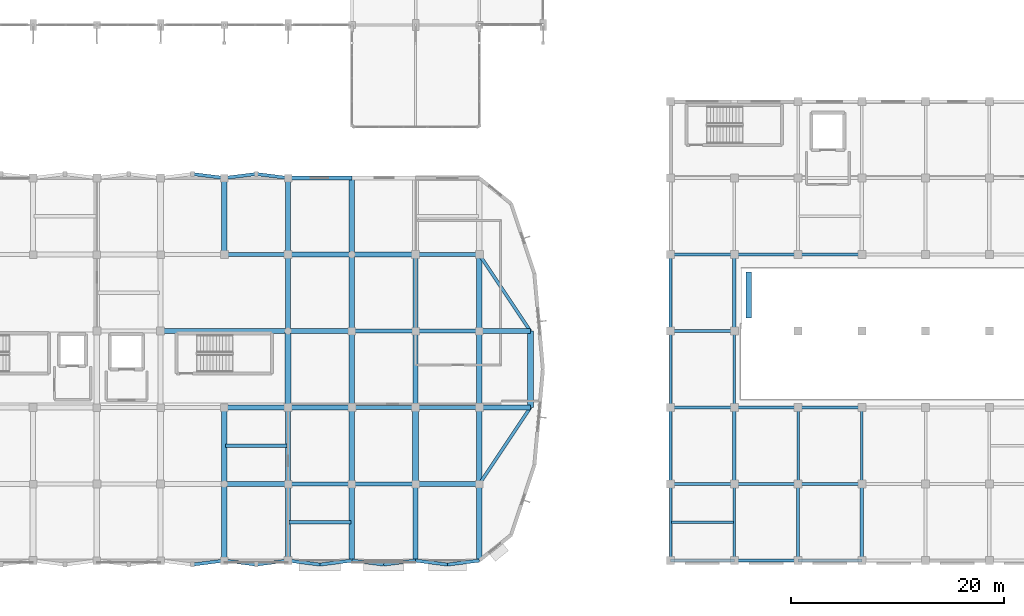
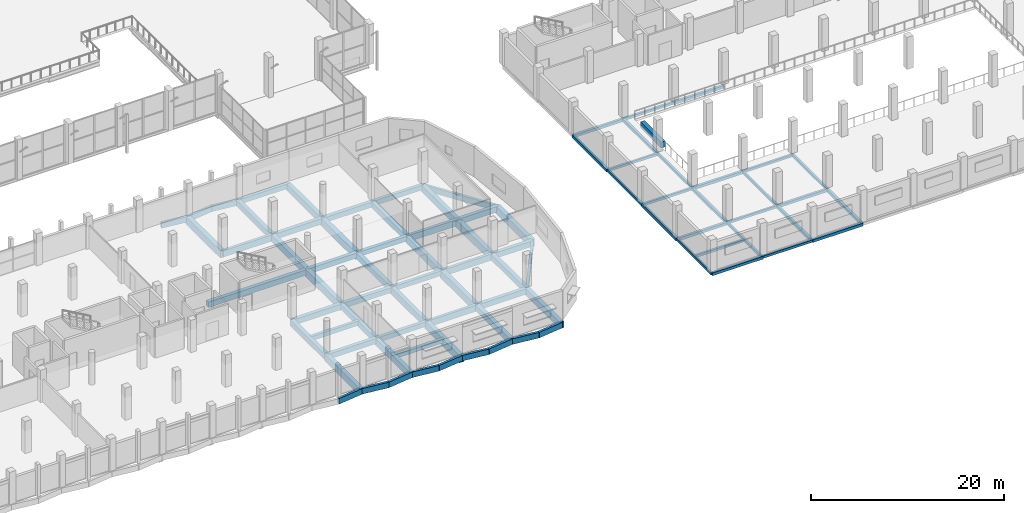
# One storey, part 24 of 127: 84 beams.
"""IFC4 building model written with IfcOpenShell, lengths in metres."""

from ifc_helpers import new_model, si_unit, direction, frame, origin, origin_2d, place, context, subcontext, project, spatial, rectangle, extrude, material, material_profile, profile_set, type_object, element, save


model = new_model("IFC4")

# Units and contexts
model_context = context("Model", 3, precision=1e-05, world=origin(), true_north=direction((0.0, 1.0)))
body_context = subcontext(model_context, "Body", "Model", "MODEL_VIEW")
ifc_project = project(units=[si_unit("LENGTHUNIT", "METRE"), si_unit("AREAUNIT", "SQUARE_METRE"), si_unit("VOLUMEUNIT", "CUBIC_METRE"), si_unit("PLANEANGLEUNIT", "RADIAN"), si_unit("MASSUNIT", "GRAM", prefix="KILO")], contexts=[model_context])

# Site, building, storey
site_placement = place(None, origin())
site = spatial("IfcSite", under=ifc_project, at=site_placement, CompositionType="ELEMENT")
building_placement = place(site_placement, origin())
building = spatial("IfcBuilding", under=site, at=building_placement, Name="Dunvalen Ferry Terminal", CompositionType="ELEMENT")
storey_placement = place(building_placement, frame((0.0, 0.0, 5.760009765625)))
storey = spatial("IfcBuildingStorey", under=building, at=storey_placement, Name="L01", CompositionType="ELEMENT", Elevation=5.760009765625)

# Beams
ifc_material_1 = material(Name="Concrete C35/45", Category="concrete")
ifc_material_profile_1 = material_profile(ifc_material_1, rectangle(XDim=0.35009765625, YDim=0.5, at=origin_2d()), Name="Concrete C35/45")
ifc_profile_set_1 = profile_set([ifc_material_profile_1], Name="Concrete C35/45")
beam_type_1 = type_object("IfcBeamType", Name="STR-BM-RCB500W", PredefinedType="JOIST", material=ifc_profile_set_1)
beam_1_placement = place(storey_placement, frame((72.10009765625, 3.60009765625, -0.510009765625), z_axis=(1.0, 0.0, 0.0), x_axis=(0.0, 1.0, 0.0)))
element("IfcBeam", 1, at=beam_1_placement, inside=storey, type_object=beam_type_1, Name="L01 V5P0 Secondary Joist 007", PredefinedType="JOIST", context=body_context, shape_type="SweptSolid", body=[
    extrude(rectangle(XDim=0.35009765625, YDim=0.5, at=origin_2d()), origin(), (0.0, 0.0, 1.0), 5.7998046875),
])
ifc_material_profile_2 = material_profile(ifc_material_1, rectangle(XDim=0.35009765625, YDim=0.550048828125, at=origin_2d()), Name="Concrete C35/45")
ifc_profile_set_2 = profile_set([ifc_material_profile_2], Name="Concrete C35/45")
beam_type_2 = type_object("IfcBeamType", Name="STR-BM-RCB550", PredefinedType="JOIST", material=ifc_profile_set_2)
beam_2_placement = place(storey_placement, frame((66.10009765625, 10.800048828125, -0.534912109375), z_axis=(1.0, 0.0, 0.0), x_axis=(0.0, 1.0, 0.0)))
element("IfcBeam", 2, at=beam_2_placement, inside=storey, type_object=beam_type_2, Name="L01 V5P0 Secondary Joist 006", PredefinedType="JOIST", context=body_context, shape_type="SweptSolid", body=[
    extrude(rectangle(XDim=0.35009765625, YDim=0.550048828125, at=origin_2d()), origin(), (0.0, 0.0, 1.0), 5.7998046875),
])
ifc_material_profile_3 = material_profile(ifc_material_1, rectangle(XDim=0.39990234375, YDim=0.60009765625, at=origin_2d()), Name="Concrete C35/45")
ifc_profile_set_3 = profile_set([ifc_material_profile_3], Name="Concrete C35/45")
beam_type_3 = type_object("IfcBeamType", Name="STR-BM-RCB600", PredefinedType="BEAM", material=ifc_profile_set_3)
for number, where, z_axis, x_axis, name in (
    (3, (72.0, 7.199951171875, -0.56005859375), (1.0, 0.0, 0.0), (0.0, 1.0, 0.0), "L01 V5P0 Primary Beam X-026"),
    (4, (78.0, 14.39990234375, -0.56005859375), (1.0, 0.0, 0.0), (0.0, 1.0, 0.0), "L01 V5P0 Primary Beam X-042"),
    (5, (78.0, 21.60009765625, -0.56005859375), (1.0, 0.0, 0.0), (0.0, 1.0, 0.0), "L01 V5P0 Primary Beam X-050"),
    (6, (84.0, 28.800048828125, -0.56005859375), (1.0, 0.0, 0.0), (0.0, 1.0, 0.0), "L01 V5P0 Primary Beam X-066"),
    (7, (72.0, 36.0, -0.56005859375), (1.0, 0.0, 0.0), (0.0, 1.0, 0.0), "L01 V5P0 Primary Beam X-078"),
):
    element("IfcBeam", number, at=place(storey_placement, frame(where, z_axis=z_axis, x_axis=x_axis)), inside=storey, type_object=beam_type_3, Name=name, PredefinedType="BEAM", context=body_context, shape_type="SweptSolid", body=[
        extrude(rectangle(XDim=0.39990234375, YDim=0.60009765625, at=origin_2d()), origin(), (0.0, 0.0, 1.0), 6.0),
    ])
ifc_material_2 = material(Name="Concrete C40/50", Category="concrete")
ifc_material_profile_4 = material_profile(ifc_material_2, rectangle(XDim=0.449951171875, YDim=0.64990234375, at=origin_2d()), Name="Concrete C40/50")
ifc_profile_set_4 = profile_set([ifc_material_profile_4], Name="Concrete C40/50")
beam_type_4 = type_object("IfcBeamType", Name="STR-BM-RCB650W", PredefinedType="BEAM", material=ifc_profile_set_4)
for number, where, z_axis, x_axis, name in (
    (8, (66.0, 7.199951171875, -0.5849609375), (1.0, 0.0, 0.0), (0.0, 1.0, 0.0), "L01 V5P0 Primary Beam X-025"),
    (9, (72.0, 14.39990234375, -0.5849609375), (1.0, 0.0, 0.0), (0.0, 1.0, 0.0), "L01 V5P0 Primary Beam X-041"),
    (10, (72.0, 21.60009765625, -0.5849609375), (1.0, 0.0, 0.0), (0.0, 1.0, 0.0), "L01 V5P0 Primary Beam X-049"),
    (11, (78.0, 28.800048828125, -0.5849609375), (1.0, 0.0, 0.0), (0.0, 1.0, 0.0), "L01 V5P0 Primary Beam X-065"),
):
    element("IfcBeam", number, at=place(storey_placement, frame(where, z_axis=z_axis, x_axis=x_axis)), inside=storey, type_object=beam_type_4, Name=name, PredefinedType="BEAM", context=body_context, shape_type="SweptSolid", body=[
        extrude(rectangle(XDim=0.449951171875, YDim=0.64990234375, at=origin_2d()), origin(), (0.0, 0.0, 1.0), 6.0),
    ])
ifc_material_profile_5 = material_profile(ifc_material_2, rectangle(XDim=0.449951171875, YDim=0.699951171875, at=origin_2d()), Name="Concrete C40/50")
ifc_profile_set_5 = profile_set([ifc_material_profile_5], Name="Concrete C40/50")
beam_type_5 = type_object("IfcBeamType", Name="STR-BM-RCB700", PredefinedType="BEAM", material=ifc_profile_set_5)
for number, where, z_axis, x_axis, name in (
    (12, (84.0, 7.199951171875, -0.610107421875), (1.0, 0.0, 0.0), (0.0, 1.0, 0.0), "L01 V5P0 Primary Beam X-028"),
    (13, (66.0, 14.39990234375, -0.610107421875), (1.0, 0.0, 0.0), (0.0, 1.0, 0.0), "L01 V5P0 Primary Beam X-040"),
):
    element("IfcBeam", number, at=place(storey_placement, frame(where, z_axis=z_axis, x_axis=x_axis)), inside=storey, type_object=beam_type_5, Name=name, PredefinedType="BEAM", context=body_context, shape_type="SweptSolid", body=[
        extrude(rectangle(XDim=0.449951171875, YDim=0.699951171875, at=origin_2d()), origin(), (0.0, 0.0, 1.0), 6.0),
    ])
beam_3_placement = place(storey_placement, frame((90.0, 14.39990234375, -0.610107421875), z_axis=(1.0, 0.0, 0.0), x_axis=(0.0, 1.0, 0.0)))
element("IfcBeam", 14, at=beam_3_placement, inside=storey, type_object=beam_type_5, Name="L01 V5P0 Primary Beam X-044", PredefinedType="BEAM", context=body_context, shape_type="SweptSolid", body=[
    extrude(rectangle(XDim=0.449951171875, YDim=0.699951171875, at=origin_2d()), origin(), (0.0, 0.0, 1.0), 4.800048828125),
])
beam_4_placement = place(storey_placement, frame((60.0, 21.60009765625, -0.610107421875), z_axis=(1.0, 0.0, 0.0), x_axis=(0.0, 1.0, 0.0)))
element("IfcBeam", 15, at=beam_4_placement, inside=storey, type_object=beam_type_5, Name="L01 V5P0 Primary Beam X-048", PredefinedType="BEAM", context=body_context, shape_type="SweptSolid", body=[
    extrude(rectangle(XDim=0.449951171875, YDim=0.699951171875, at=origin_2d()), origin(), (0.0, 0.0, 1.0), 12.0),
])
beam_5_placement = place(storey_placement, frame((90.0, 21.60009765625, -0.610107421875), z_axis=(1.0, 0.0, 0.0), x_axis=(0.0, 1.0, 0.0)))
element("IfcBeam", 16, at=beam_5_placement, inside=storey, type_object=beam_type_5, Name="L01 V5P0 Primary Beam X-052", PredefinedType="BEAM", context=body_context, shape_type="SweptSolid", body=[
    extrude(rectangle(XDim=0.449951171875, YDim=0.699951171875, at=origin_2d()), origin(), (0.0, 0.0, 1.0), 4.800048828125),
])
beam_6_placement = place(storey_placement, frame((72.0, 28.800048828125, -0.610107421875), z_axis=(1.0, 0.0, 0.0), x_axis=(0.0, 1.0, 0.0)))
element("IfcBeam", 17, at=beam_6_placement, inside=storey, type_object=beam_type_5, Name="L01 V5P0 Primary Beam X-064", PredefinedType="BEAM", context=body_context, shape_type="SweptSolid", body=[
    extrude(rectangle(XDim=0.449951171875, YDim=0.699951171875, at=origin_2d()), origin(), (0.0, 0.0, 1.0), 6.0),
])
ifc_material_profile_6 = material_profile(ifc_material_2, rectangle(XDim=0.5, YDim=0.75, at=origin_2d()), Name="Concrete C40/50")
ifc_profile_set_6 = profile_set([ifc_material_profile_6], Name="Concrete C40/50")
beam_type_6 = type_object("IfcBeamType", Name="STR-BM-RCB750", PredefinedType="BEAM", material=ifc_profile_set_6)
for number, where, z_axis, x_axis, name in (
    (18, (66.0, 7.199951171875, -0.635009765625), (0.0, 1.0, 0.0), (-1.0, 0.0, 0.0), "L01 V5P0 Primary Girder Y-122"),
    (19, (72.0, 7.199951171875, -0.635009765625), (0.0, 1.0, 0.0), (-1.0, 0.0, 0.0), "L01 V5P0 Primary Girder Y-125"),
    (20, (72.0, 28.800048828125, -0.635009765625), (0.0, 1.0, 0.0), (-1.0, 0.0, 0.0), "L01 V5P0 Primary Girder Y-128"),
):
    element("IfcBeam", number, at=place(storey_placement, frame(where, z_axis=z_axis, x_axis=x_axis)), inside=storey, type_object=beam_type_6, Name=name, PredefinedType="BEAM", context=body_context, shape_type="SweptSolid", body=[
        extrude(rectangle(XDim=0.5, YDim=0.75, at=origin_2d()), origin(), (0.0, 0.0, 1.0), 7.199951171875),
    ])
beam_7_placement = place(storey_placement, frame((78.0, 14.39990234375, -0.635009765625), z_axis=(0.0, 1.0, 0.0), x_axis=(-1.0, 0.0, 0.0)))
element("IfcBeam", 21, at=beam_7_placement, inside=storey, type_object=beam_type_6, Name="L01 V5P0 Primary Girder Y-131", PredefinedType="BEAM", context=body_context, shape_type="SweptSolid", body=[
    extrude(rectangle(XDim=0.5, YDim=0.75, at=origin_2d()), origin(), (0.0, 0.0, 1.0), 7.2001953125),
])
for number, where, z_axis, x_axis, name in (
    (22, (84.0, 0.0, -0.635009765625), (0.0, 1.0, 0.0), (-1.0, 0.0, 0.0), "L01 V5P0 Primary Girder Y-134"),
    (23, (84.0, 21.60009765625, -0.635009765625), (0.0, 1.0, 0.0), (-1.0, 0.0, 0.0), "L01 V5P0 Primary Girder Y-137"),
    (24, (90.0, 7.199951171875, -0.635009765625), (0.0, 1.0, 0.0), (-1.0, 0.0, 0.0), "L01 V5P0 Primary Girder Y-140"),
):
    element("IfcBeam", number, at=place(storey_placement, frame(where, z_axis=z_axis, x_axis=x_axis)), inside=storey, type_object=beam_type_6, Name=name, PredefinedType="BEAM", context=body_context, shape_type="SweptSolid", body=[
        extrude(rectangle(XDim=0.5, YDim=0.75, at=origin_2d()), origin(), (0.0, 0.0, 1.0), 7.199951171875),
    ])
beam_8_placement = place(storey_placement, frame((115.35009765625, 22.85009765625, -0.56005859375), z_axis=(0.0, 1.0, 0.0), x_axis=(-1.0, 0.0, 0.0)))
element("IfcBeam", 25, at=beam_8_placement, inside=storey, type_object=beam_type_6, Name="Vehicle Ramp L01 Arrival Bearing Beam", PredefinedType="BEAM", context=body_context, shape_type="SweptSolid", body=[
    extrude(rectangle(XDim=0.5, YDim=0.75, at=origin_2d()), origin(), (0.0, 0.0, 1.0), 4.2998046875),
])
ifc_material_profile_7 = material_profile(ifc_material_2, rectangle(XDim=0.5, YDim=0.85009765625, at=origin_2d()), Name="Concrete C40/50")
ifc_profile_set_7 = profile_set([ifc_material_profile_7], Name="Concrete C40/50")
beam_type_7 = type_object("IfcBeamType", Name="STR-BM-RCG850", PredefinedType="BEAM", material=ifc_profile_set_7)
for number, where, z_axis, x_axis, name in (
    (26, (66.0, 0.0, -0.68505859375), (0.0, 1.0, 0.0), (-1.0, 0.0, 0.0), "L01 V5P0 Primary Girder Y-121"),
    (27, (72.0, 0.0, -0.68505859375), (0.0, 1.0, 0.0), (-1.0, 0.0, 0.0), "L01 V5P0 Primary Girder Y-124"),
    (28, (72.0, 21.60009765625, -0.68505859375), (0.0, 1.0, 0.0), (-1.0, 0.0, 0.0), "L01 V5P0 Primary Girder Y-127"),
    (29, (78.0, 7.199951171875, -0.68505859375), (0.0, 1.0, 0.0), (-1.0, 0.0, 0.0), "L01 V5P0 Primary Girder Y-130"),
    (30, (78.0, 28.800048828125, -0.68505859375), (0.0, 1.0, 0.0), (-1.0, 0.0, 0.0), "L01 V5P0 Primary Girder Y-133"),
):
    element("IfcBeam", number, at=place(storey_placement, frame(where, z_axis=z_axis, x_axis=x_axis)), inside=storey, type_object=beam_type_7, Name=name, PredefinedType="BEAM", context=body_context, shape_type="SweptSolid", body=[
        extrude(rectangle(XDim=0.5, YDim=0.85009765625, at=origin_2d()), origin(), (0.0, 0.0, 1.0), 7.199951171875),
    ])
beam_9_placement = place(storey_placement, frame((84.0, 14.39990234375, -0.68505859375), z_axis=(0.0, 1.0, 0.0), x_axis=(-1.0, 0.0, 0.0)))
element("IfcBeam", 31, at=beam_9_placement, inside=storey, type_object=beam_type_7, Name="L01 V5P0 Primary Girder Y-136", PredefinedType="BEAM", context=body_context, shape_type="SweptSolid", body=[
    extrude(rectangle(XDim=0.5, YDim=0.85009765625, at=origin_2d()), origin(), (0.0, 0.0, 1.0), 7.2001953125),
])
for number, where, z_axis, x_axis, name in (
    (32, (90.0, 0.0, -0.68505859375), (0.0, 1.0, 0.0), (-1.0, 0.0, 0.0), "L01 V5P0 Primary Girder Y-139"),
    (33, (90.0, 21.60009765625, -0.68505859375), (0.0, 1.0, 0.0), (-1.0, 0.0, 0.0), "L01 V5P0 Primary Girder Y-142"),
):
    element("IfcBeam", number, at=place(storey_placement, frame(where, z_axis=z_axis, x_axis=x_axis)), inside=storey, type_object=beam_type_7, Name=name, PredefinedType="BEAM", context=body_context, shape_type="SweptSolid", body=[
        extrude(rectangle(XDim=0.5, YDim=0.85009765625, at=origin_2d()), origin(), (0.0, 0.0, 1.0), 7.199951171875),
    ])
ifc_material_profile_8 = material_profile(ifc_material_2, rectangle(XDim=0.550048828125, YDim=0.949951171875, at=origin_2d()), Name="Concrete C40/50")
ifc_profile_set_8 = profile_set([ifc_material_profile_8], Name="Concrete C40/50")
beam_type_8 = type_object("IfcBeamType", Name="STR-BM-RCG950", PredefinedType="BEAM", material=ifc_profile_set_8)
beam_10_placement = place(storey_placement, frame((66.0, 28.800048828125, -0.735107421875), z_axis=(0.0, 1.0, 0.0), x_axis=(-1.0, 0.0, 0.0)))
element("IfcBeam", 34, at=beam_10_placement, inside=storey, type_object=beam_type_8, Name="L01 V5P0 Primary Girder Y-123", PredefinedType="BEAM", context=body_context, shape_type="SweptSolid", body=[
    extrude(rectangle(XDim=0.550048828125, YDim=0.949951171875, at=origin_2d()), origin(), (0.0, 0.0, 1.0), 7.199951171875),
])
beam_11_placement = place(storey_placement, frame((72.0, 14.39990234375, -0.735107421875), z_axis=(0.0, 1.0, 0.0), x_axis=(-1.0, 0.0, 0.0)))
element("IfcBeam", 35, at=beam_11_placement, inside=storey, type_object=beam_type_8, Name="L01 V5P0 Primary Girder Y-126", PredefinedType="BEAM", context=body_context, shape_type="SweptSolid", body=[
    extrude(rectangle(XDim=0.550048828125, YDim=0.949951171875, at=origin_2d()), origin(), (0.0, 0.0, 1.0), 7.2001953125),
])
for number, where, z_axis, x_axis, name in (
    (36, (78.0, 0.0, -0.735107421875), (0.0, 1.0, 0.0), (-1.0, 0.0, 0.0), "L01 V5P0 Primary Girder Y-129"),
    (37, (78.0, 21.60009765625, -0.735107421875), (0.0, 1.0, 0.0), (-1.0, 0.0, 0.0), "L01 V5P0 Primary Girder Y-132"),
    (38, (84.0, 7.199951171875, -0.735107421875), (0.0, 1.0, 0.0), (-1.0, 0.0, 0.0), "L01 V5P0 Primary Girder Y-135"),
):
    element("IfcBeam", number, at=place(storey_placement, frame(where, z_axis=z_axis, x_axis=x_axis)), inside=storey, type_object=beam_type_8, Name=name, PredefinedType="BEAM", context=body_context, shape_type="SweptSolid", body=[
        extrude(rectangle(XDim=0.550048828125, YDim=0.949951171875, at=origin_2d()), origin(), (0.0, 0.0, 1.0), 7.199951171875),
    ])
for number, where, z_axis, x_axis, name in (
    (39, (90.0, 14.39990234375, -0.735107421875), (0.0, 1.0, 0.0), (-1.0, 0.0, 0.0), "L01 V5P0 Primary Girder Y-141"),
    (40, (94.800048828125, 14.39990234375, -0.735107421875), (0.0, 1.0, 0.0), (-1.0, 0.0, 0.0), "L01 V5P0 Primary Girder Y-144"),
):
    element("IfcBeam", number, at=place(storey_placement, frame(where, z_axis=z_axis, x_axis=x_axis)), inside=storey, type_object=beam_type_8, Name=name, PredefinedType="BEAM", context=body_context, shape_type="SweptSolid", body=[
        extrude(rectangle(XDim=0.550048828125, YDim=0.949951171875, at=origin_2d()), origin(), (0.0, 0.0, 1.0), 7.2001953125),
    ])
ifc_material_profile_9 = material_profile(ifc_material_1, rectangle(XDim=0.25, YDim=0.300048828125, at=origin_2d()), Name="Concrete C35/45")
ifc_profile_set_9 = profile_set([ifc_material_profile_9], Name="Concrete C35/45")
beam_type_9 = type_object("IfcBeamType", Name="STR-BM-RCL300", PredefinedType="LINTEL", material=ifc_profile_set_9)
for number, where, z_axis, x_axis, name in (
    (41, (114.0, 0.0, -0.469970703125), (1.0, 0.0, 0.0), (0.0, 1.0, 0.0), "L01 V4 Primary Beam X-002"),
    (42, (114.0, 7.199951171875, -0.469970703125), (1.0, 0.0, 0.0), (0.0, 1.0, 0.0), "L01 V4 Primary Beam X-010"),
    (43, (108.0, 14.39990234375, -0.469970703125), (1.0, 0.0, 0.0), (0.0, 1.0, 0.0), "L01 V4 Primary Beam X-018"),
    (44, (120.0, 14.39990234375, -0.469970703125), (1.0, 0.0, 0.0), (0.0, 1.0, 0.0), "L01 V4 Primary Beam X-020"),
    (45, (108.0, 21.60009765625, -0.469970703125), (1.0, 0.0, 0.0), (0.0, 1.0, 0.0), "L01 V4 Primary Beam X-028"),
    (46, (114.0, 28.800048828125, -0.469970703125), (1.0, 0.0, 0.0), (0.0, 1.0, 0.0), "L01 V4 Primary Beam X-032"),
):
    element("IfcBeam", number, at=place(storey_placement, frame(where, z_axis=z_axis, x_axis=x_axis)), inside=storey, type_object=beam_type_9, Name=name, PredefinedType="LINTEL", context=body_context, shape_type="SweptSolid", body=[
        extrude(rectangle(XDim=0.25, YDim=0.300048828125, at=origin_2d()), origin(), (0.0, 0.0, 1.0), 6.0),
    ])
beam_12_placement = place(storey_placement, frame((108.0, 0.0, -0.469970703125), z_axis=(0.0, 1.0, 0.0), x_axis=(-1.0, 0.0, 0.0)))
element("IfcBeam", 47, at=beam_12_placement, inside=storey, type_object=beam_type_9, Name="L01 V4 Primary Girder Y-057", PredefinedType="LINTEL", context=body_context, shape_type="SweptSolid", body=[
    extrude(rectangle(XDim=0.25, YDim=0.300048828125, at=origin_2d()), origin(), (0.0, 0.0, 1.0), 7.199951171875),
])
beam_13_placement = place(storey_placement, frame((108.0, 14.39990234375, -0.469970703125), z_axis=(0.0, 1.0, 0.0), x_axis=(-1.0, 0.0, 0.0)))
element("IfcBeam", 48, at=beam_13_placement, inside=storey, type_object=beam_type_9, Name="L01 V4 Primary Girder Y-059", PredefinedType="LINTEL", context=body_context, shape_type="SweptSolid", body=[
    extrude(rectangle(XDim=0.25, YDim=0.300048828125, at=origin_2d()), origin(), (0.0, 0.0, 1.0), 7.2001953125),
])
beam_14_placement = place(storey_placement, frame((114.0, 0.0, -0.469970703125), z_axis=(0.0, 1.0, 0.0), x_axis=(-1.0, 0.0, 0.0)))
element("IfcBeam", 49, at=beam_14_placement, inside=storey, type_object=beam_type_9, Name="L01 V4 Primary Girder Y-063", PredefinedType="LINTEL", context=body_context, shape_type="SweptSolid", body=[
    extrude(rectangle(XDim=0.25, YDim=0.300048828125, at=origin_2d()), origin(), (0.0, 0.0, 1.0), 7.199951171875),
])
beam_15_placement = place(storey_placement, frame((114.0, 14.39990234375, -0.469970703125), z_axis=(0.0, 1.0, 0.0), x_axis=(-1.0, 0.0, 0.0)))
element("IfcBeam", 50, at=beam_15_placement, inside=storey, type_object=beam_type_9, Name="L01 V4 Primary Girder Y-065", PredefinedType="LINTEL", context=body_context, shape_type="SweptSolid", body=[
    extrude(rectangle(XDim=0.25, YDim=0.300048828125, at=origin_2d()), origin(), (0.0, 0.0, 1.0), 7.2001953125),
])
for number, where, z_axis, x_axis, name in (
    (51, (120.0, 7.199951171875, -0.469970703125), (0.0, 1.0, 0.0), (-1.0, 0.0, 0.0), "L01 V4 Primary Girder Y-069"),
    (52, (126.0, 7.199951171875, -0.469970703125), (0.0, 1.0, 0.0), (-1.0, 0.0, 0.0), "L01 V4 Primary Girder Y-073"),
):
    element("IfcBeam", number, at=place(storey_placement, frame(where, z_axis=z_axis, x_axis=x_axis)), inside=storey, type_object=beam_type_9, Name=name, PredefinedType="LINTEL", context=body_context, shape_type="SweptSolid", body=[
        extrude(rectangle(XDim=0.25, YDim=0.300048828125, at=origin_2d()), origin(), (0.0, 0.0, 1.0), 7.199951171875),
    ])
beam_16_placement = place(storey_placement, frame((108.10009765625, 3.60009765625, -0.469970703125), z_axis=(1.0, 0.0, 0.0), x_axis=(0.0, 1.0, 0.0)))
element("IfcBeam", 53, at=beam_16_placement, inside=storey, type_object=beam_type_9, Name="L01 V4 Secondary Joist 001", PredefinedType="LINTEL", context=body_context, shape_type="SweptSolid", body=[
    extrude(rectangle(XDim=0.25, YDim=0.300048828125, at=origin_2d()), origin(), (0.0, 0.0, 1.0), 5.7998046875),
])
ifc_material_profile_10 = material_profile(ifc_material_2, rectangle(XDim=0.300048828125, YDim=0.35009765625, at=origin_2d()), Name="Concrete C40/50")
ifc_profile_set_10 = profile_set([ifc_material_profile_10], Name="Concrete C40/50")
beam_type_10 = type_object("IfcBeamType", Name="STR-BM-RCL350", PredefinedType="LINTEL", material=ifc_profile_set_10)
for number, where, z_axis, x_axis, name in (
    (54, (108.0, 0.0, -0.4951171875), (1.0, 0.0, 0.0), (0.0, 1.0, 0.0), "L01 V4 Primary Beam X-001"),
    (55, (120.0, 0.0, -0.4951171875), (1.0, 0.0, 0.0), (0.0, 1.0, 0.0), "L01 V4 Primary Beam X-003"),
    (56, (108.0, 7.199951171875, -0.4951171875), (1.0, 0.0, 0.0), (0.0, 1.0, 0.0), "L01 V4 Primary Beam X-009"),
    (57, (120.0, 7.199951171875, -0.4951171875), (1.0, 0.0, 0.0), (0.0, 1.0, 0.0), "L01 V4 Primary Beam X-011"),
    (58, (114.0, 14.39990234375, -0.4951171875), (1.0, 0.0, 0.0), (0.0, 1.0, 0.0), "L01 V4 Primary Beam X-019"),
    (59, (108.0, 28.800048828125, -0.4951171875), (1.0, 0.0, 0.0), (0.0, 1.0, 0.0), "L01 V4 Primary Beam X-031"),
    (60, (120.0, 28.800048828125, -0.4951171875), (1.0, 0.0, 0.0), (0.0, 1.0, 0.0), "L01 V4 Primary Beam X-033"),
):
    element("IfcBeam", number, at=place(storey_placement, frame(where, z_axis=z_axis, x_axis=x_axis)), inside=storey, type_object=beam_type_10, Name=name, PredefinedType="LINTEL", context=body_context, shape_type="SweptSolid", body=[
        extrude(rectangle(XDim=0.300048828125, YDim=0.35009765625, at=origin_2d()), origin(), (0.0, 0.0, 1.0), 6.0),
    ])
for number, where, z_axis, x_axis, name in (
    (61, (108.0, 7.199951171875, -0.4951171875), (0.0, 1.0, 0.0), (-1.0, 0.0, 0.0), "L01 V4 Primary Girder Y-058"),
    (62, (108.0, 21.60009765625, -0.4951171875), (0.0, 1.0, 0.0), (-1.0, 0.0, 0.0), "L01 V4 Primary Girder Y-060"),
    (63, (114.0, 7.199951171875, -0.4951171875), (0.0, 1.0, 0.0), (-1.0, 0.0, 0.0), "L01 V4 Primary Girder Y-064"),
    (64, (114.0, 21.60009765625, -0.4951171875), (0.0, 1.0, 0.0), (-1.0, 0.0, 0.0), "L01 V4 Primary Girder Y-066"),
    (65, (120.0, 0.0, -0.4951171875), (0.0, 1.0, 0.0), (-1.0, 0.0, 0.0), "L01 V4 Primary Girder Y-068"),
    (66, (126.0, 0.0, -0.4951171875), (0.0, 1.0, 0.0), (-1.0, 0.0, 0.0), "L01 V4 Primary Girder Y-072"),
):
    element("IfcBeam", number, at=place(storey_placement, frame(where, z_axis=z_axis, x_axis=x_axis)), inside=storey, type_object=beam_type_10, Name=name, PredefinedType="LINTEL", context=body_context, shape_type="SweptSolid", body=[
        extrude(rectangle(XDim=0.300048828125, YDim=0.35009765625, at=origin_2d()), origin(), (0.0, 0.0, 1.0), 7.199951171875),
    ])
ifc_material_profile_11 = material_profile(ifc_material_2, rectangle(XDim=0.300048828125, YDim=0.699951171875, at=origin_2d()), Name="Concrete C40/50")
ifc_profile_set_11 = profile_set([ifc_material_profile_11], Name="Concrete C40/50")
beam_type_11 = type_object("IfcBeamType", Name="STR-BM-RCSP700", PredefinedType="SPANDREL", material=ifc_profile_set_11)
for number, where, z_axis, x_axis, name in (
    (67, (63.0, -0.3798828125, -0.610107421875), (0.992077869489, 0.12562444376, 0.0), (-0.12562444376, 0.992077869489, 0.0), "L01 Forecourt Pilaster Spandrel Tie 10.2"),
    (68, (66.0, 0.0, -0.610107421875), (0.992077869489, -0.12562444376, 0.0), (0.12562444376, 0.992077869489, 0.0), "L01 Forecourt Pilaster Spandrel Tie 11.1"),
    (69, (69.0, -0.3798828125, -0.610107421875), (0.992077869489, 0.12562444376, 0.0), (-0.12562444376, 0.992077869489, 0.0), "L01 Forecourt Pilaster Spandrel Tie 11.2"),
    (70, (72.0, 0.0, -0.610107421875), (0.992077869489, -0.12562444376, 0.0), (0.12562444376, 0.992077869489, 0.0), "L01 Forecourt Pilaster Spandrel Tie 12.1"),
    (71, (75.0, -0.3798828125, -0.610107421875), (0.992077869489, 0.12562444376, 0.0), (-0.12562444376, 0.992077869489, 0.0), "L01 Forecourt Pilaster Spandrel Tie 12.2"),
    (72, (78.0, 0.0, -0.610107421875), (0.992077869489, -0.12562444376, 0.0), (0.12562444376, 0.992077869489, 0.0), "L01 Forecourt Pilaster Spandrel Tie 13.1"),
    (73, (81.0, -0.3798828125, -0.610107421875), (0.992077869489, 0.12562444376, 0.0), (-0.12562444376, 0.992077869489, 0.0), "L01 Forecourt Pilaster Spandrel Tie 13.2"),
    (74, (84.0, 0.0, -0.610107421875), (0.992077869489, -0.12562444376, 0.0), (0.12562444376, 0.992077869489, 0.0), "L01 Forecourt Pilaster Spandrel Tie 14.1"),
    (75, (87.0, -0.3798828125, -0.610107421875), (0.992077869489, 0.12562444376, 0.0), (-0.12562444376, 0.992077869489, 0.0), "L01 Forecourt Pilaster Spandrel Tie 14.2"),
    (76, (63.0, 36.3798828125, -0.610107421875), (0.992077869489, -0.12562444376, 0.0), (0.12562444376, 0.992077869489, 0.0), "L01 Passage Pilaster Spandrel Tie 09.2"),
    (77, (66.0, 36.0, -0.610107421875), (0.992077869489, 0.12562444376, 0.0), (-0.12562444376, 0.992077869489, 0.0), "L01 Passage Pilaster Spandrel Tie 10.1"),
    (78, (69.0, 36.3798828125, -0.610107421875), (0.992077869489, -0.12562444376, 0.0), (0.12562444376, 0.992077869489, 0.0), "L01 Passage Pilaster Spandrel Tie 10.2"),
):
    element("IfcBeam", number, at=place(storey_placement, frame(where, z_axis=z_axis, x_axis=x_axis)), inside=storey, type_object=beam_type_11, Name=name, PredefinedType="SPANDREL", context=body_context, shape_type="SweptSolid", body=[
        extrude(rectangle(XDim=0.300048828125, YDim=0.699951171875, at=origin_2d()), origin(), (0.0, 0.0, 1.0), 3.02392578125),
    ])
for number, where, z_axis, x_axis, name in (
    (79, (90.0, 7.199951171875, -0.610107421875), (0.554706707029, 0.832045953765, 0.0), (-0.832045953765, 0.554706707029, 0.0), "L01 Prow Spandrel Beam EP1"),
    (80, (94.800048828125, 21.60009765625, -0.610107421875), (-0.554706707029, 0.832045953765, 0.0), (-0.832045953765, -0.554706707029, 0.0), "L01 Prow Spandrel Beam EP3"),
):
    element("IfcBeam", number, at=place(storey_placement, frame(where, z_axis=z_axis, x_axis=x_axis)), inside=storey, type_object=beam_type_11, Name=name, PredefinedType="SPANDREL", context=body_context, shape_type="SweptSolid", body=[
        extrude(rectangle(XDim=0.300048828125, YDim=0.699951171875, at=origin_2d()), origin(), (0.0, 0.0, 1.0), 8.6533203125),
    ])
ifc_material_profile_12 = material_profile(ifc_material_2, rectangle(XDim=0.35009765625, YDim=0.800048828125, at=origin_2d()), Name="Concrete C40/50")
ifc_profile_set_12 = profile_set([ifc_material_profile_12], Name="Concrete C40/50")
beam_type_12 = type_object("IfcBeamType", Name="STR-BM-RCSP800", PredefinedType="SPANDREL", material=ifc_profile_set_12)
for number, where, z_axis, x_axis, name in (
    (81, (78.0, 7.199951171875, -0.659912109375), (1.0, 0.0, 0.0), (0.0, 1.0, 0.0), "L01 V5P0 Primary Beam X-027"),
    (82, (84.0, 14.39990234375, -0.659912109375), (1.0, 0.0, 0.0), (0.0, 1.0, 0.0), "L01 V5P0 Primary Beam X-043"),
    (83, (84.0, 21.60009765625, -0.659912109375), (1.0, 0.0, 0.0), (0.0, 1.0, 0.0), "L01 V5P0 Primary Beam X-051"),
    (84, (66.0, 28.800048828125, -0.659912109375), (1.0, 0.0, 0.0), (0.0, 1.0, 0.0), "L01 V5P0 Primary Beam X-063"),
):
    element("IfcBeam", number, at=place(storey_placement, frame(where, z_axis=z_axis, x_axis=x_axis)), inside=storey, type_object=beam_type_12, Name=name, PredefinedType="SPANDREL", context=body_context, shape_type="SweptSolid", body=[
        extrude(rectangle(XDim=0.35009765625, YDim=0.800048828125, at=origin_2d()), origin(), (0.0, 0.0, 1.0), 6.0),
    ])

save(model, "model.ifc")
